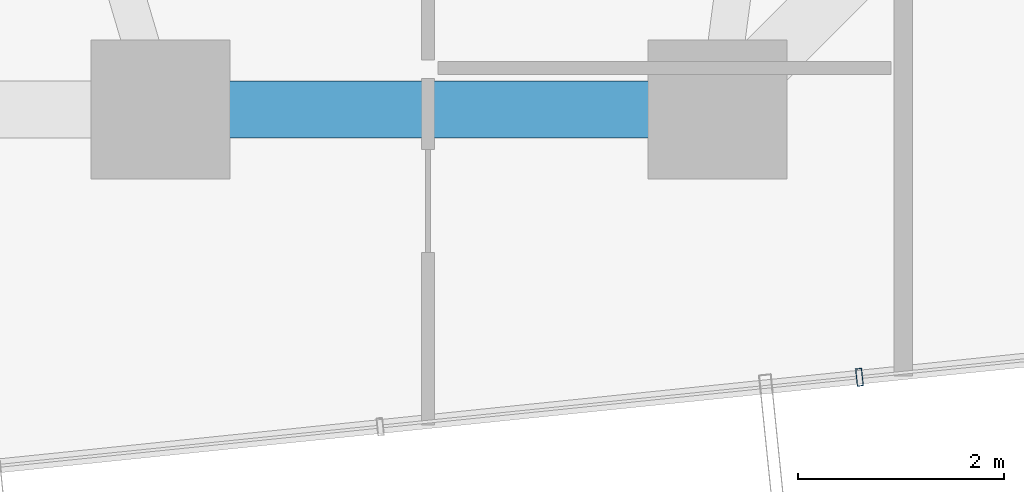
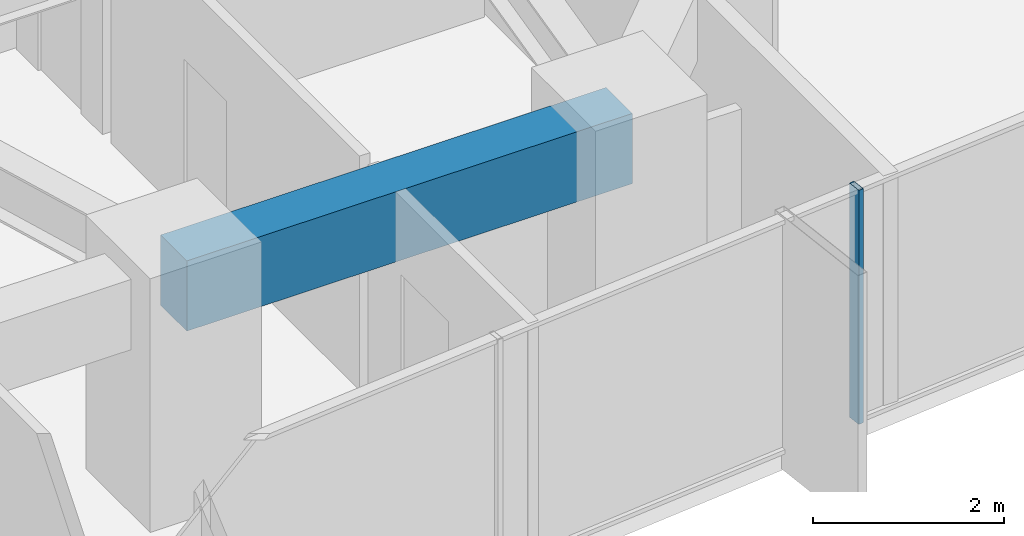
# One storey, part 8 of 37: 1 beam, 1 member, 1 element without a shape of its own.
"""IFC4 building model written with IfcOpenShell, lengths in metres."""

from ifc_helpers import new_model, si_unit, direction, frame, origin, origin_2d, place, context, subcontext, project, spatial, rectangle, hollow_rectangle, extrude, source, transform, mapped, material, layer, layer_set, material_profile, profile_set, type_object, element, aggregate, save


model = new_model("IFC4")

# Units and contexts
model_context = context("Model", 3, precision=1e-05, world=origin(), true_north=direction((0.0, 1.0)))
body_context = subcontext(model_context, "Body", "Model", "MODEL_VIEW")
ifc_project = project(units=[si_unit("LENGTHUNIT", "METRE"), si_unit("AREAUNIT", "SQUARE_METRE"), si_unit("VOLUMEUNIT", "CUBIC_METRE"), si_unit("PLANEANGLEUNIT", "RADIAN"), si_unit("MASSUNIT", "GRAM", prefix="KILO")], contexts=[model_context])

# Site, building, storey
site_placement = place(None, origin())
site = spatial("IfcSite", under=ifc_project, at=site_placement, CompositionType="ELEMENT")
building_placement = place(site_placement, origin())
building = spatial("IfcBuilding", under=site, at=building_placement, Name="Veraguas Prism Commons", CompositionType="ELEMENT")
storey_placement = place(building_placement, frame((0.0, 0.0, 43.550048828125)))
storey = spatial("IfcBuildingStorey", under=building, at=storey_placement, Name="L11", CompositionType="ELEMENT", Elevation=43.550048828125)

# Beam
ifc_material_1 = material(Name="Concrete C50/60", Category="concrete")
ifc_material_profile_1 = material_profile(ifc_material_1, rectangle(XDim=0.550048828125, YDim=0.89990234375, at=origin_2d()), Name="RC550X900")
ifc_profile_set_1 = profile_set([ifc_material_profile_1], Name="Concrete C50/60")
beam_type = type_object("IfcBeamType", Name="Perimeter Spandrel Lower RC 550x900", PredefinedType="SPANDREL", material=ifc_profile_set_1)
beam_placement = place(storey_placement, frame((24.0, 6.39990234375, 2.550048828125), z_axis=(1.0, 0.0, 0.0), x_axis=(0.0, 1.0, 0.0)))
element("IfcBeam", 1, at=beam_placement, inside=storey, type_object=beam_type, Name="Perimeter Spandrel Beam L11-SP11", PredefinedType="SPANDREL", context=body_context, shape_type="SweptSolid", body=[
    extrude(rectangle(XDim=0.550048828125, YDim=0.89990234375, at=origin_2d()), origin(), (0.0, 0.0, 1.0), 5.39990234375),
])

# Curtain wall, member
ifc_material_2 = material(Name="Anodised aluminium EN AW-6063 T6", Category="aluminium")
ifc_layer = layer(ifc_material_2, 0.169921875, Name="Unitised Flush Curtain Wall Zone 1", Category="aluminium")
ifc_layer_set = layer_set([ifc_layer], Name="Anodised aluminium EN AW-6063 T6")
curtain_wall_type = type_object("IfcCurtainWallType", Name="Unitised Flush Curtain Wall Zone 1", PredefinedType="NOTDEFINED", material=ifc_layer_set)
curtain_wall_placement = place(storey_placement, origin())
curtain_wall = element("IfcCurtainWall", 2, at=curtain_wall_placement, inside=storey, type_object=curtain_wall_type, Name="Tower Facade Curtain Wall L11-F5", PredefinedType="NOTDEFINED")
ifc_material_profile_2 = material_profile(ifc_material_2, hollow_rectangle(XDim=0.06005859375, YDim=0.169921875, WallThickness=0.00390625, at=origin_2d()), Name="AL60X170X4")
ifc_profile_set_2 = profile_set([ifc_material_profile_2], Name="Anodised aluminium EN AW-6063 T6")
member_type = type_object("IfcMemberType", Name="Curtain Wall Mullion Lower AL 60x170x4", PredefinedType="MULLION", material=ifc_profile_set_2)
shared_shape = source(origin(), body_context, "Body", "SweptSolid", [
    extrude(hollow_rectangle(XDim=0.06005859375, YDim=0.169921875, WallThickness=0.00390625, at=origin_2d()), origin(), (0.0, 0.0, 1.0), 3.0),
])
member_placement = place(storey_placement, frame((30.775634765625, 3.80322265625, 0.0), z_axis=(0.0, 0.0, 1.0), x_axis=(0.994738459078, 0.102447049893, 0.0)))
member = element("IfcMember", 3, at=member_placement, type_object=member_type, Name="CW-Z1 Mullion 4", PredefinedType="MULLION", context=body_context, shape_type="MappedRepresentation", body=[
    mapped(shared_shape, transform((0.0, 0.0, 0.0), scale=1.0)),
])
aggregate(curtain_wall, [member])

save(model, "model.ifc")
